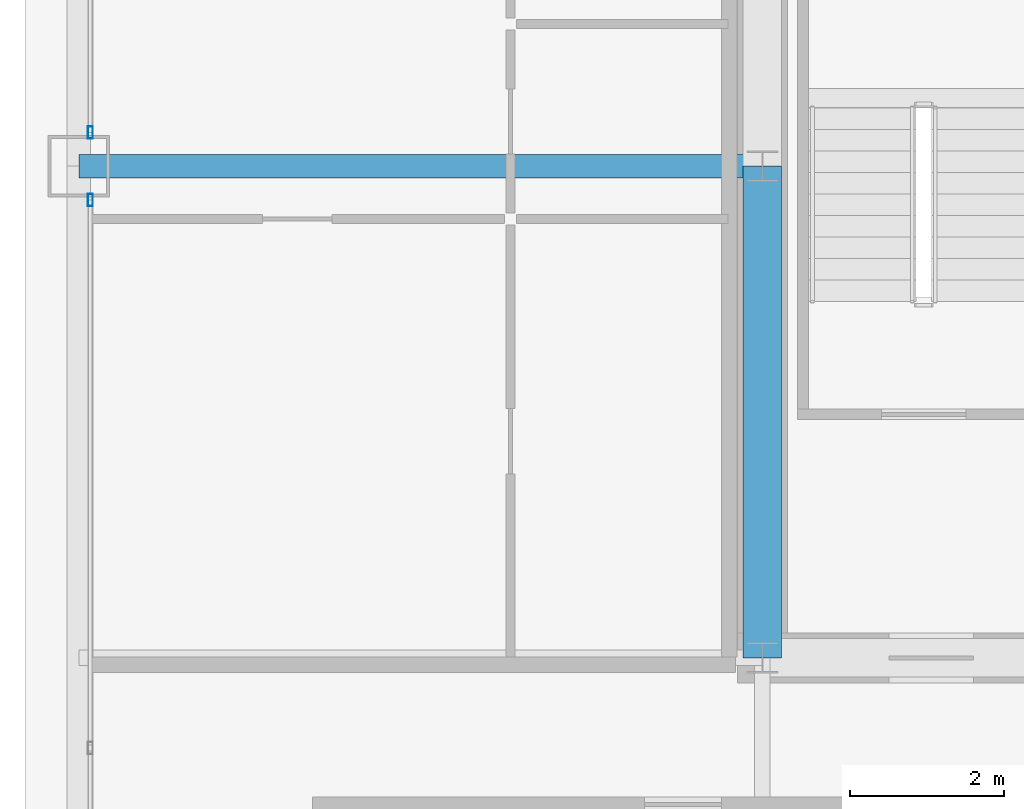
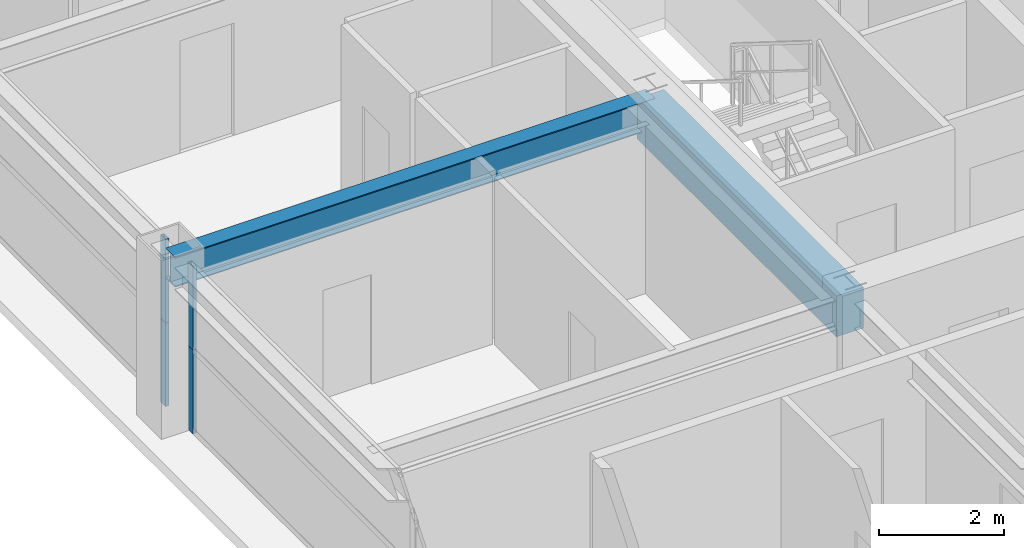
# One storey, part 12 of 38: 4 members, 2 beams, 2 elements without a shape of their own.
"""IFC4 building model written with IfcOpenShell, lengths in metres."""

from ifc_helpers import new_model, si_unit, direction, frame, origin, origin_2d, place, context, subcontext, project, spatial, rectangle, hollow_rectangle, i_section, extrude, source, transform, mapped, material, layer, layer_set, material_profile, profile_set, type_object, element, aggregate, save


model = new_model("IFC4")

# Units and contexts
model_context = context("Model", 3, precision=1e-05, world=origin(), true_north=direction((0.0, 1.0)))
body_context = subcontext(model_context, "Body", "Model", "MODEL_VIEW")
ifc_project = project(units=[si_unit("LENGTHUNIT", "METRE"), si_unit("AREAUNIT", "SQUARE_METRE"), si_unit("VOLUMEUNIT", "CUBIC_METRE"), si_unit("PLANEANGLEUNIT", "RADIAN"), si_unit("MASSUNIT", "GRAM", prefix="KILO"), si_unit("THERMODYNAMICTEMPERATUREUNIT", "KELVIN"), si_unit("POWERUNIT", "WATT")], contexts=[model_context])

# Site, building, storey
site_placement = place(None, origin())
site = spatial("IfcSite", under=ifc_project, at=site_placement, CompositionType="ELEMENT")
building_placement = place(site_placement, origin())
building = spatial("IfcBuilding", under=site, at=building_placement, Name="Yuzanri Waterfront Tower", CompositionType="ELEMENT")
storey_placement = place(building_placement, frame((0.0, 0.0, 188.0)))
storey = spatial("IfcBuildingStorey", under=building, at=storey_placement, Name="L49", CompositionType="ELEMENT", Elevation=188.0)

# Beams
ifc_material_1 = material(Name="Steel Q355B", Category="steel")
ifc_material_profile_1 = material_profile(ifc_material_1, i_section(OverallWidth=0.300048828125, OverallDepth=0.587890625, WebThickness=0.011962890625, FlangeThickness=0.02001953125, at=origin_2d()), Name="HM 588x300x12x20")
ifc_profile_set_1 = profile_set([ifc_material_profile_1], Name="Steel Q355B")
beam_type_1 = type_object("IfcBeamType", Name="Primary Floor Girder Q355B HM 588x300", PredefinedType="BEAM", material=ifc_profile_set_1)
shared_shape_1 = source(origin(), body_context, "Body", "SweptSolid", [
    extrude(i_section(OverallWidth=0.300048828125, OverallDepth=0.587890625, WebThickness=0.011962890625, FlangeThickness=0.02001953125, at=origin_2d()), origin(), (0.0, 0.0, 1.0), 8.900146484375),
])
beam_1_placement = place(storey_placement, frame((23.800048828125, 25.800048828125, 2.986083984375), z_axis=(-1.0, 0.0, 0.0), x_axis=(0.0, -1.0, 0.0)))
element("IfcBeam", 1, at=beam_1_placement, inside=storey, type_object=beam_type_1, Name="L49 West Grid Girder", PredefinedType="BEAM", context=body_context, shape_type="MappedRepresentation", body=[
    mapped(shared_shape_1, transform((0.0, 0.0, 0.0), scale=1.0)),
])
ifc_material_2 = material(Name="Concrete C50", Category="concrete")
ifc_material_profile_2 = material_profile(ifc_material_2, rectangle(XDim=0.5, YDim=0.800048828125, at=origin_2d()), Name="RC 500x800")
ifc_profile_set_2 = profile_set([ifc_material_profile_2], Name="Concrete C50")
beam_type_2 = type_object("IfcBeamType", Name="Core Coupling Lintel Concrete C50 500x800", PredefinedType="LINTEL", material=ifc_profile_set_2)
shared_shape_2 = source(origin(), body_context, "Body", "SweptSolid", [
    extrude(rectangle(XDim=0.5, YDim=0.800048828125, at=origin_2d()), origin(), (0.0, 0.0, 1.0), 6.400146484375),
])
beam_2_placement = place(storey_placement, frame((23.800048828125, 19.39990234375, 2.8798828125), z_axis=(0.0, 1.0, 0.0), x_axis=(-1.0, 0.0, 0.0)))
element("IfcBeam", 2, at=beam_2_placement, inside=storey, type_object=beam_type_2, Name="L49 Core Tie Beam CW1", PredefinedType="LINTEL", context=body_context, shape_type="MappedRepresentation", body=[
    mapped(shared_shape_2, transform((0.0, 0.0, 0.0), scale=1.0)),
])

# Curtain wall, members
ifc_material_3 = material(Name="Anodized Architectural Bronze", Category="metal")
ifc_layer = layer(ifc_material_3, 0.159912109375)
ifc_layer_set = layer_set([ifc_layer], Name="Anodized Architectural Bronze")
curtain_wall_type = type_object("IfcCurtainWallType", Name="Anodized Bronze Mid-Rise Residential Acoustic Unitized Curtain Wall 7200", PredefinedType="NOTDEFINED", material=ifc_layer_set)
curtain_wall_1_placement = place(storey_placement, origin())
curtain_wall_1 = element("IfcCurtainWall", 3, at=curtain_wall_1_placement, inside=storey, type_object=curtain_wall_type, Name="L49 Curtain Wall CW-L49-WL", PredefinedType="NOTDEFINED")
ifc_material_4 = material(Name="Anodized Architectural Bronze", Category="metal")
ifc_material_profile_3 = material_profile(ifc_material_4, hollow_rectangle(XDim=0.06494140625, YDim=0.159912109375, WallThickness=0.00341796875, at=origin_2d()), Name="CWM 65x160")
ifc_profile_set_3 = profile_set([ifc_material_profile_3], Name="Anodized Architectural Bronze")
member_type = type_object("IfcMemberType", Name="Anodized Bronze Upper-Zone Curtain-Wall Mullion 65x160", PredefinedType="MULLION", material=ifc_profile_set_3)
shared_shape_3 = source(origin(), body_context, "Body", "SweptSolid", [
    extrude(hollow_rectangle(XDim=0.06494140625, YDim=0.159912109375, WallThickness=0.00341796875, at=origin_2d()), origin(), (0.0, 0.0, 1.0), 1.637939453125),
])
member_1_placement = place(storey_placement, frame((15.050048828125, 25.360107421875, 0.0), z_axis=(0.0, 0.0, 1.0), x_axis=(1.0, 0.0, 0.0)))
member_1 = element("IfcMember", 4, at=member_1_placement, type_object=member_type, Name="CW-L49-WL Lower Mullion 02", PredefinedType="MULLION", context=body_context, shape_type="MappedRepresentation", body=[
    mapped(shared_shape_3, transform((0.0, 0.0, 0.0), scale=1.0)),
])
member_2_placement = place(storey_placement, frame((15.050048828125, 25.360107421875, 1.64208984375), z_axis=(0.0, 0.0, 1.0), x_axis=(1.0, 0.0, 0.0)))
member_2 = element("IfcMember", 5, at=member_2_placement, type_object=member_type, Name="CW-L49-WL Upper Mullion 02", PredefinedType="MULLION", context=body_context, shape_type="MappedRepresentation", body=[
    mapped(shared_shape_3, transform((0.0, 0.0, 0.0), scale=1.0)),
])
aggregate(curtain_wall_1, [member_1, member_2])

curtain_wall_2_placement = place(storey_placement, origin())
curtain_wall_2 = element("IfcCurtainWall", 6, at=curtain_wall_2_placement, inside=storey, type_object=curtain_wall_type, Name="L49 Curtain Wall CW-L49-WR", PredefinedType="NOTDEFINED")
member_3_placement = place(storey_placement, frame((15.050048828125, 26.239990234375, 0.0), z_axis=(0.0, 0.0, 1.0), x_axis=(1.0, 0.0, 0.0)))
member_3 = element("IfcMember", 7, at=member_3_placement, type_object=member_type, Name="CW-L49-WR Lower Mullion 00", PredefinedType="MULLION", context=body_context, shape_type="MappedRepresentation", body=[
    mapped(shared_shape_3, transform((0.0, 0.0, 0.0), scale=1.0)),
])
member_4_placement = place(storey_placement, frame((15.050048828125, 26.239990234375, 1.64208984375), z_axis=(0.0, 0.0, 1.0), x_axis=(1.0, 0.0, 0.0)))
member_4 = element("IfcMember", 8, at=member_4_placement, type_object=member_type, Name="CW-L49-WR Upper Mullion 00", PredefinedType="MULLION", context=body_context, shape_type="MappedRepresentation", body=[
    mapped(shared_shape_3, transform((0.0, 0.0, 0.0), scale=1.0)),
])
aggregate(curtain_wall_2, [member_3, member_4])

save(model, "model.ifc")
